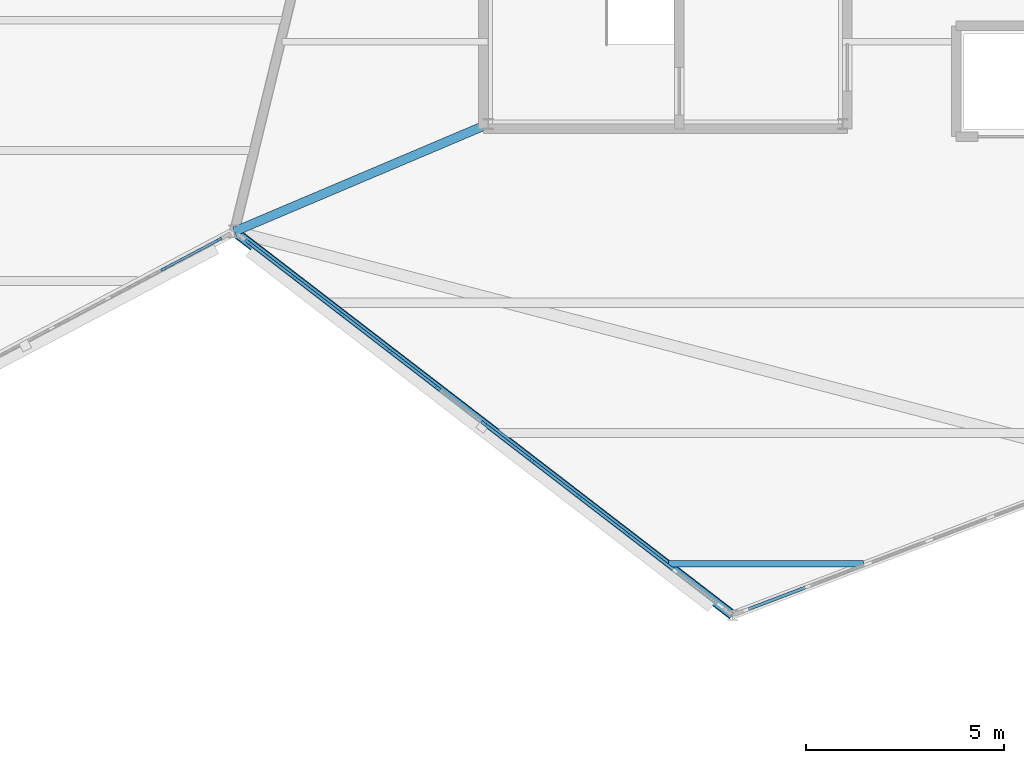
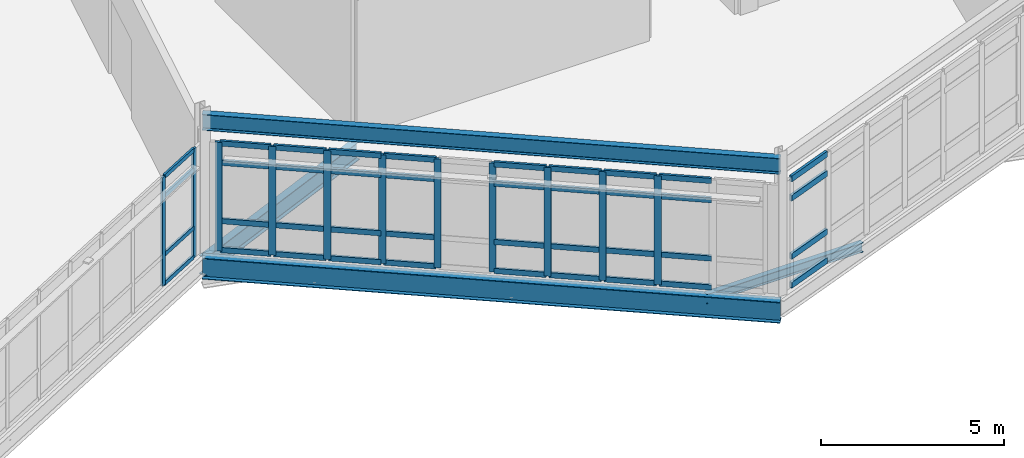
# One storey, part 20 of 76: 51 members, 4 beams, 3 elements without a shape of their own.
"""IFC4 building model written with IfcOpenShell, lengths in metres."""

from ifc_helpers import new_model, si_unit, direction, frame, origin, origin_2d, place, context, subcontext, project, spatial, rectangle, i_section, extrude, material, material_profile, profile_set, type_object, element, aggregate, save


model = new_model("IFC4")

# Units and contexts
model_context = context("Model", 3, precision=1e-05, world=origin(), true_north=direction((0.0, 1.0)))
body_context = subcontext(model_context, "Body", "Model", "MODEL_VIEW")
ifc_project = project(units=[si_unit("LENGTHUNIT", "METRE"), si_unit("AREAUNIT", "SQUARE_METRE"), si_unit("VOLUMEUNIT", "CUBIC_METRE"), si_unit("PLANEANGLEUNIT", "RADIAN"), si_unit("MASSUNIT", "GRAM", prefix="KILO")], contexts=[model_context])

# Site, building, storey
site_placement = place(None, origin())
site = spatial("IfcSite", under=ifc_project, at=site_placement, CompositionType="ELEMENT")
building_placement = place(site_placement, origin())
building = spatial("IfcBuilding", under=site, at=building_placement, Name="Tameran Prism Museum", CompositionType="ELEMENT")
storey_placement = place(building_placement, frame((0.0, 0.0, 15.0)))
storey = spatial("IfcBuildingStorey", under=building, at=storey_placement, Name="L03", CompositionType="ELEMENT", Elevation=15.0)

# Beams
ifc_material_1 = material(Name="Steel Grade 300PLUS (300 MPa)", Category="steel")
ifc_material_profile_1 = material_profile(ifc_material_1, i_section(OverallWidth=0.166015625, OverallDepth=0.306884765625, WebThickness=0.006591796875, FlangeThickness=0.01171875, FilletRadius=0.011474609375, at=origin_2d()))
ifc_profile_set_1 = profile_set([ifc_material_profile_1])
beam_type_1 = type_object("IfcBeamType", Name="BM-J310A", PredefinedType="JOIST", material=ifc_profile_set_1)
beam_1_placement = place(storey_placement, frame((109.076904296875, 19.800048828125, -0.37353515625), z_axis=(1.0, 0.0, 0.0), x_axis=(0.0, 1.0, 0.0)))
element("IfcBeam", 1, at=beam_1_placement, inside=storey, type_object=beam_type_1, Name="Floor Beam BM-1104", PredefinedType="JOIST", context=body_context, shape_type="SweptSolid", body=[
    extrude(i_section(OverallWidth=0.166015625, OverallDepth=0.306884765625, WebThickness=0.006591796875, FlangeThickness=0.01171875, FilletRadius=0.011474609375, at=origin_2d()), origin(), (0.0, 0.0, 1.0), 4.93115234375),
])
ifc_material_2 = material(Name="Steel Grade 300PLUS (300 MPa)", Category="steel")
ifc_material_profile_2 = material_profile(ifc_material_2, i_section(OverallWidth=0.208984375, OverallDepth=0.528076171875, WebThickness=0.009521484375, FlangeThickness=0.01318359375, FilletRadius=0.013916015625, at=origin_2d()))
ifc_profile_set_2 = profile_set([ifc_material_profile_2])
beam_type_2 = type_object("IfcBeamType", Name="BM-SP530B", PredefinedType="SPANDREL", material=ifc_profile_set_2)
beam_2_placement = place(storey_placement, frame((98.10009765625, 28.199951171875, 4.285888671875), z_axis=(0.792388202323, -0.610017161086, 0.0), x_axis=(0.610017161086, 0.792388202323, 0.0)))
element("IfcBeam", 2, at=beam_2_placement, inside=storey, type_object=beam_type_2, Name="Roof Ring Beam RB-0978", PredefinedType="SPANDREL", context=body_context, shape_type="SweptSolid", body=[
    extrude(i_section(OverallWidth=0.208984375, OverallDepth=0.528076171875, WebThickness=0.009521484375, FlangeThickness=0.01318359375, FilletRadius=0.013916015625, at=origin_2d()), origin(), (0.0, 0.0, 1.0), 15.901123046875),
])
ifc_material_3 = material(Name="Steel Grade 350 (350 MPa)", Category="steel")
ifc_material_profile_3 = material_profile(ifc_material_3, i_section(OverallWidth=0.25, OverallDepth=0.699951171875, WebThickness=0.010009765625, FlangeThickness=0.02001953125, at=origin_2d()))
ifc_profile_set_3 = profile_set([ifc_material_profile_3])
beam_type_3 = type_object("IfcBeamType", Name="BM-SP700", PredefinedType="SPANDREL", material=ifc_profile_set_3)
beam_3_placement = place(storey_placement, frame((98.10009765625, 28.199951171875, -0.570068359375), z_axis=(0.792388202323, -0.610017161086, 0.0), x_axis=(0.610017161086, 0.792388202323, 0.0)))
element("IfcBeam", 3, at=beam_3_placement, inside=storey, type_object=beam_type_3, Name="Perimeter Spandrel SP-0974", PredefinedType="SPANDREL", context=body_context, shape_type="SweptSolid", body=[
    extrude(i_section(OverallWidth=0.25, OverallDepth=0.699951171875, WebThickness=0.010009765625, FlangeThickness=0.02001953125, at=origin_2d()), origin(), (0.0, 0.0, 1.0), 15.901123046875),
])
ifc_material_4 = material(Name="Steel Grade 300PLUS (300 MPa)", Category="steel")
ifc_material_profile_4 = material_profile(ifc_material_4, i_section(OverallWidth=0.22900390625, OverallDepth=0.612060546875, WebThickness=0.011962890625, FlangeThickness=0.01953125, FilletRadius=0.013916015625, at=origin_2d()))
ifc_profile_set_4 = profile_set([ifc_material_profile_4])
beam_type_4 = type_object("IfcBeamType", Name="BM-UB610A", PredefinedType="BEAM", material=ifc_profile_set_4)
beam_4_placement = place(storey_placement, frame((104.52001953125, 30.919921875, -0.56005859375), z_axis=(-0.920768988768, -0.390108278973, 0.0), x_axis=(0.390108278973, -0.920768988768, 0.0)))
element("IfcBeam", 4, at=beam_4_placement, inside=storey, type_object=beam_type_4, Name="Frame Tie Girder FG-1420", PredefinedType="BEAM", context=body_context, shape_type="SweptSolid", body=[
    extrude(i_section(OverallWidth=0.22900390625, OverallDepth=0.612060546875, WebThickness=0.011962890625, FlangeThickness=0.01953125, FilletRadius=0.013916015625, at=origin_2d()), origin(), (0.0, 0.0, 1.0), 6.972412109375),
])

# Curtain wall, members
ifc_material_5 = material(Name="Anodised Aluminium 6063-T6 and Cyclone Solar Glass", Category="aluminium")
curtain_wall_type_1 = type_object("IfcCurtainWallType", Name="CW-FAC-1123x362", PredefinedType="USERDEFINED", material=ifc_material_5)
curtain_wall_1_placement = place(storey_placement, origin())
curtain_wall_1 = element("IfcCurtainWall", 5, at=curtain_wall_1_placement, inside=storey, type_object=curtain_wall_type_1, Name="Unitised Curtain Wall CW-139", ObjectType="UNITISED CURTAIN WALL", PredefinedType="USERDEFINED")
ifc_material_6 = material(Name="Anodised Aluminium Alloy 6063-T6", Category="aluminium")
ifc_material_profile_5 = material_profile(ifc_material_6, rectangle(XDim=0.06494140625, YDim=0.159912109375, at=origin_2d()))
ifc_profile_set_5 = profile_set([ifc_material_profile_5])
member_type_1 = type_object("IfcMemberType", Name="CW-MUL-A", PredefinedType="MULLION", material=ifc_profile_set_5)
member_1_placement = place(storey_placement, frame((97.709228515625, 27.993896484375, 0.0), z_axis=(0.0, 0.0, 1.0), x_axis=(0.467155185438, -0.884175340483, 0.0)))
member_1 = element("IfcMember", 6, at=member_1_placement, type_object=member_type_1, Name="CW-139 mullion 1", PredefinedType="MULLION", context=body_context, shape_type="SweptSolid", body=[
    extrude(rectangle(XDim=0.06494140625, YDim=0.159912109375, at=origin_2d()), origin(), (0.0, 0.0, 1.0), 3.6201171875),
])
member_2_placement = place(storey_placement, frame((96.319580078125, 27.259521484375, 0.0), z_axis=(0.0, 0.0, 1.0), x_axis=(0.467155185438, -0.884175340483, 0.0)))
member_2 = element("IfcMember", 7, at=member_2_placement, type_object=member_type_1, Name="CW-139 mullion 2", PredefinedType="MULLION", context=body_context, shape_type="SweptSolid", body=[
    extrude(rectangle(XDim=0.06494140625, YDim=0.159912109375, at=origin_2d()), origin(), (0.0, 0.0, 1.0), 3.6201171875),
])

ifc_material_7 = material(Name="Anodised Aluminium 6063-T6 and Cyclone Solar Glass", Category="aluminium")
curtain_wall_type_2 = type_object("IfcCurtainWallType", Name="CW-FAC-1514x362", PredefinedType="USERDEFINED", material=ifc_material_7)
curtain_wall_2_placement = place(storey_placement, origin())
curtain_wall_2 = element("IfcCurtainWall", 8, at=curtain_wall_2_placement, inside=storey, type_object=curtain_wall_type_2, Name="Unitised Curtain Wall CW-145", ObjectType="UNITISED CURTAIN WALL", PredefinedType="USERDEFINED")
ifc_material_8 = material(Name="Anodised Aluminium Alloy 6063-T6", Category="aluminium")
ifc_material_profile_6 = material_profile(ifc_material_8, rectangle(XDim=0.074951171875, YDim=0.199951171875, at=origin_2d()))
ifc_profile_set_6 = profile_set([ifc_material_profile_6])
member_type_2 = type_object("IfcMemberType", Name="CW-MUL-C", PredefinedType="MULLION", material=ifc_profile_set_6)
member_3_placement = place(storey_placement, frame((108.023193359375, 20.560302734375, 0.0), z_axis=(0.0, 0.0, 1.0), x_axis=(-0.610001143702, -0.79240053299, 0.0)))
member_3 = element("IfcMember", 9, at=member_3_placement, type_object=member_type_2, Name="CW-145 mullion 3", PredefinedType="MULLION", context=body_context, shape_type="SweptSolid", body=[
    extrude(rectangle(XDim=0.074951171875, YDim=0.199951171875, at=origin_2d()), origin(), (0.0, 0.0, 1.0), 3.6201171875),
])
member_4_placement = place(storey_placement, frame((106.8232421875, 21.484130859375, 0.0), z_axis=(0.0, 0.0, 1.0), x_axis=(-0.610001143702, -0.79240053299, 0.0)))
member_4 = element("IfcMember", 10, at=member_4_placement, type_object=member_type_2, Name="CW-145 mullion 4", PredefinedType="MULLION", context=body_context, shape_type="SweptSolid", body=[
    extrude(rectangle(XDim=0.074951171875, YDim=0.199951171875, at=origin_2d()), origin(), (0.0, 0.0, 1.0), 3.6201171875),
])
member_5_placement = place(storey_placement, frame((105.623291015625, 22.40771484375, 0.0), z_axis=(0.0, 0.0, 1.0), x_axis=(-0.610001143702, -0.79240053299, 0.0)))
member_5 = element("IfcMember", 11, at=member_5_placement, type_object=member_type_2, Name="CW-145 mullion 5", PredefinedType="MULLION", context=body_context, shape_type="SweptSolid", body=[
    extrude(rectangle(XDim=0.074951171875, YDim=0.199951171875, at=origin_2d()), origin(), (0.0, 0.0, 1.0), 3.6201171875),
])
member_6_placement = place(storey_placement, frame((104.423583984375, 23.33154296875, 0.0), z_axis=(0.0, 0.0, 1.0), x_axis=(-0.610001143702, -0.79240053299, 0.0)))
member_6 = element("IfcMember", 12, at=member_6_placement, type_object=member_type_2, Name="CW-145 mullion 6", PredefinedType="MULLION", context=body_context, shape_type="SweptSolid", body=[
    extrude(rectangle(XDim=0.074951171875, YDim=0.199951171875, at=origin_2d()), origin(), (0.0, 0.0, 1.0), 3.6201171875),
])
member_7_placement = place(storey_placement, frame((103.2236328125, 24.255126953125, 0.0), z_axis=(0.0, 0.0, 1.0), x_axis=(-0.610001143702, -0.79240053299, 0.0)))
member_7 = element("IfcMember", 13, at=member_7_placement, type_object=member_type_2, Name="CW-145 mullion 7", PredefinedType="MULLION", context=body_context, shape_type="SweptSolid", body=[
    extrude(rectangle(XDim=0.074951171875, YDim=0.199951171875, at=origin_2d()), origin(), (0.0, 0.0, 1.0), 3.6201171875),
])
member_8_placement = place(storey_placement, frame((102.023681640625, 25.178955078125, 0.0), z_axis=(0.0, 0.0, 1.0), x_axis=(-0.610001143702, -0.79240053299, 0.0)))
member_8 = element("IfcMember", 14, at=member_8_placement, type_object=member_type_2, Name="CW-145 mullion 8", PredefinedType="MULLION", context=body_context, shape_type="SweptSolid", body=[
    extrude(rectangle(XDim=0.074951171875, YDim=0.199951171875, at=origin_2d()), origin(), (0.0, 0.0, 1.0), 3.6201171875),
])
member_9_placement = place(storey_placement, frame((100.82373046875, 26.1025390625, 0.0), z_axis=(0.0, 0.0, 1.0), x_axis=(-0.610001143702, -0.79240053299, 0.0)))
member_9 = element("IfcMember", 15, at=member_9_placement, type_object=member_type_2, Name="CW-145 mullion 9", PredefinedType="MULLION", context=body_context, shape_type="SweptSolid", body=[
    extrude(rectangle(XDim=0.074951171875, YDim=0.199951171875, at=origin_2d()), origin(), (0.0, 0.0, 1.0), 3.6201171875),
])
member_10_placement = place(storey_placement, frame((99.623779296875, 27.0263671875, 0.0), z_axis=(0.0, 0.0, 1.0), x_axis=(-0.610001143702, -0.79240053299, 0.0)))
member_10 = element("IfcMember", 16, at=member_10_placement, type_object=member_type_2, Name="CW-145 mullion 10", PredefinedType="MULLION", context=body_context, shape_type="SweptSolid", body=[
    extrude(rectangle(XDim=0.074951171875, YDim=0.199951171875, at=origin_2d()), origin(), (0.0, 0.0, 1.0), 3.6201171875),
])
member_11_placement = place(storey_placement, frame((98.45361328125, 27.92724609375, 0.0), z_axis=(0.0, 0.0, 1.0), x_axis=(-0.610001143702, -0.79240053299, 0.0)))
member_11 = element("IfcMember", 17, at=member_11_placement, type_object=member_type_2, Name="CW-145 mullion 11", PredefinedType="MULLION", context=body_context, shape_type="SweptSolid", body=[
    extrude(rectangle(XDim=0.074951171875, YDim=0.199951171875, at=origin_2d()), origin(), (0.0, 0.0, 1.0), 3.6201171875),
])

# Member
ifc_material_9 = material(Name="Anodised Aluminium Alloy 6063-T6", Category="aluminium")
ifc_material_profile_7 = material_profile(ifc_material_9, rectangle(XDim=0.06494140625, YDim=0.139892578125, at=origin_2d()))
ifc_profile_set_7 = profile_set([ifc_material_profile_7])
member_type_3 = type_object("IfcMemberType", Name="CW-TRN-A", PredefinedType="USERDEFINED", material=ifc_profile_set_7)
member_12_placement = place(storey_placement, frame((97.680419921875, 27.978515625, 0.032470703125), z_axis=(-0.884154232374, -0.467195134152, 0.0), x_axis=(0.467195134152, -0.884154232374, 0.0)))
member_12 = element("IfcMember", 18, at=member_12_placement, type_object=member_type_3, Name="CW-139 transom 1.1", ObjectType="TRANSOM", PredefinedType="USERDEFINED", context=body_context, shape_type="SweptSolid", body=[
    extrude(rectangle(XDim=0.06494140625, YDim=0.139892578125, at=origin_2d()), origin(), (0.0, 0.0, 1.0), 1.506591796875),
])

member_13_placement = place(storey_placement, frame((97.680419921875, 27.978515625, 1.0), z_axis=(-0.884154232374, -0.467195134152, 0.0), x_axis=(0.467195134152, -0.884154232374, 0.0)))
member_13 = element("IfcMember", 19, at=member_13_placement, type_object=member_type_3, Name="CW-139 transom 1.2", ObjectType="TRANSOM", PredefinedType="USERDEFINED", context=body_context, shape_type="SweptSolid", body=[
    extrude(rectangle(XDim=0.06494140625, YDim=0.139892578125, at=origin_2d()), origin(), (0.0, 0.0, 1.0), 1.506591796875),
])

member_14_placement = place(storey_placement, frame((97.680419921875, 27.978515625, 2.93994140625), z_axis=(-0.884154232374, -0.467195134152, 0.0), x_axis=(0.467195134152, -0.884154232374, 0.0)))
member_14 = element("IfcMember", 20, at=member_14_placement, type_object=member_type_3, Name="CW-139 transom 1.3", ObjectType="TRANSOM", PredefinedType="USERDEFINED", context=body_context, shape_type="SweptSolid", body=[
    extrude(rectangle(XDim=0.06494140625, YDim=0.139892578125, at=origin_2d()), origin(), (0.0, 0.0, 1.0), 1.506591796875),
])

member_15_placement = place(storey_placement, frame((97.680419921875, 27.978515625, 3.58740234375), z_axis=(-0.884154232374, -0.467195134152, 0.0), x_axis=(0.467195134152, -0.884154232374, 0.0)))
member_15 = element("IfcMember", 21, at=member_15_placement, type_object=member_type_3, Name="CW-139 transom 1.4", ObjectType="TRANSOM", PredefinedType="USERDEFINED", context=body_context, shape_type="SweptSolid", body=[
    extrude(rectangle(XDim=0.06494140625, YDim=0.139892578125, at=origin_2d()), origin(), (0.0, 0.0, 1.0), 1.506591796875),
])

aggregate(curtain_wall_1, [member_1, member_2, member_12, member_13, member_14, member_15])

ifc_material_10 = material(Name="Anodised Aluminium Alloy 6063-T6", Category="aluminium")
ifc_material_profile_8 = material_profile(ifc_material_10, rectangle(XDim=0.074951171875, YDim=0.175048828125, at=origin_2d()))
ifc_profile_set_8 = profile_set([ifc_material_profile_8])
member_type_4 = type_object("IfcMemberType", Name="CW-TRN-C", PredefinedType="USERDEFINED", material=ifc_profile_set_8)
member_16_placement = place(storey_placement, frame((109.193359375, 19.65966796875, 0.03759765625), z_axis=(-0.79238428899, 0.610022244318, 0.0), x_axis=(-0.610022244318, -0.79238428899, 0.0)))
member_16 = element("IfcMember", 22, at=member_16_placement, type_object=member_type_4, Name="CW-145 transom 2.1", ObjectType="TRANSOM", PredefinedType="USERDEFINED", context=body_context, shape_type="SweptSolid", body=[
    extrude(rectangle(XDim=0.074951171875, YDim=0.175048828125, at=origin_2d()), origin(), (0.0, 0.0, 1.0), 1.439208984375),
])

member_17_placement = place(storey_placement, frame((109.193359375, 19.65966796875, 1.0), z_axis=(-0.79238428899, 0.610022244318, 0.0), x_axis=(-0.610022244318, -0.79238428899, 0.0)))
member_17 = element("IfcMember", 23, at=member_17_placement, type_object=member_type_4, Name="CW-145 transom 2.2", ObjectType="TRANSOM", PredefinedType="USERDEFINED", context=body_context, shape_type="SweptSolid", body=[
    extrude(rectangle(XDim=0.074951171875, YDim=0.175048828125, at=origin_2d()), origin(), (0.0, 0.0, 1.0), 1.439208984375),
])

member_18_placement = place(storey_placement, frame((109.193359375, 19.65966796875, 2.93994140625), z_axis=(-0.79238428899, 0.610022244318, 0.0), x_axis=(-0.610022244318, -0.79238428899, 0.0)))
member_18 = element("IfcMember", 24, at=member_18_placement, type_object=member_type_4, Name="CW-145 transom 2.3", ObjectType="TRANSOM", PredefinedType="USERDEFINED", context=body_context, shape_type="SweptSolid", body=[
    extrude(rectangle(XDim=0.074951171875, YDim=0.175048828125, at=origin_2d()), origin(), (0.0, 0.0, 1.0), 1.439208984375),
])

member_19_placement = place(storey_placement, frame((109.193359375, 19.65966796875, 3.58251953125), z_axis=(-0.79238428899, 0.610022244318, 0.0), x_axis=(-0.610022244318, -0.79238428899, 0.0)))
member_19 = element("IfcMember", 25, at=member_19_placement, type_object=member_type_4, Name="CW-145 transom 2.4", ObjectType="TRANSOM", PredefinedType="USERDEFINED", context=body_context, shape_type="SweptSolid", body=[
    extrude(rectangle(XDim=0.074951171875, YDim=0.175048828125, at=origin_2d()), origin(), (0.0, 0.0, 1.0), 1.439208984375),
])

member_20_placement = place(storey_placement, frame((107.993408203125, 20.583251953125, 0.03759765625), z_axis=(-0.79238428899, 0.610022244318, 0.0), x_axis=(-0.610022244318, -0.79238428899, 0.0)))
member_20 = element("IfcMember", 26, at=member_20_placement, type_object=member_type_4, Name="CW-145 transom 3.1", ObjectType="TRANSOM", PredefinedType="USERDEFINED", context=body_context, shape_type="SweptSolid", body=[
    extrude(rectangle(XDim=0.074951171875, YDim=0.175048828125, at=origin_2d()), origin(), (0.0, 0.0, 1.0), 1.439208984375),
])

member_21_placement = place(storey_placement, frame((107.993408203125, 20.583251953125, 1.0), z_axis=(-0.79238428899, 0.610022244318, 0.0), x_axis=(-0.610022244318, -0.79238428899, 0.0)))
member_21 = element("IfcMember", 27, at=member_21_placement, type_object=member_type_4, Name="CW-145 transom 3.2", ObjectType="TRANSOM", PredefinedType="USERDEFINED", context=body_context, shape_type="SweptSolid", body=[
    extrude(rectangle(XDim=0.074951171875, YDim=0.175048828125, at=origin_2d()), origin(), (0.0, 0.0, 1.0), 1.439208984375),
])

member_22_placement = place(storey_placement, frame((107.993408203125, 20.583251953125, 2.93994140625), z_axis=(-0.79238428899, 0.610022244318, 0.0), x_axis=(-0.610022244318, -0.79238428899, 0.0)))
member_22 = element("IfcMember", 28, at=member_22_placement, type_object=member_type_4, Name="CW-145 transom 3.3", ObjectType="TRANSOM", PredefinedType="USERDEFINED", context=body_context, shape_type="SweptSolid", body=[
    extrude(rectangle(XDim=0.074951171875, YDim=0.175048828125, at=origin_2d()), origin(), (0.0, 0.0, 1.0), 1.439208984375),
])

member_23_placement = place(storey_placement, frame((107.993408203125, 20.583251953125, 3.58251953125), z_axis=(-0.79238428899, 0.610022244318, 0.0), x_axis=(-0.610022244318, -0.79238428899, 0.0)))
member_23 = element("IfcMember", 29, at=member_23_placement, type_object=member_type_4, Name="CW-145 transom 3.4", ObjectType="TRANSOM", PredefinedType="USERDEFINED", context=body_context, shape_type="SweptSolid", body=[
    extrude(rectangle(XDim=0.074951171875, YDim=0.175048828125, at=origin_2d()), origin(), (0.0, 0.0, 1.0), 1.439208984375),
])

member_24_placement = place(storey_placement, frame((106.793701171875, 21.507080078125, 0.03759765625), z_axis=(-0.79244740358, 0.60994025327, 0.0), x_axis=(-0.60994025327, -0.79244740358, 0.0)))
member_24 = element("IfcMember", 30, at=member_24_placement, type_object=member_type_4, Name="CW-145 transom 4.1", ObjectType="TRANSOM", PredefinedType="USERDEFINED", context=body_context, shape_type="SweptSolid", body=[
    extrude(rectangle(XDim=0.074951171875, YDim=0.175048828125, at=origin_2d()), origin(), (0.0, 0.0, 1.0), 1.439453125),
])

member_25_placement = place(storey_placement, frame((106.793701171875, 21.507080078125, 1.0), z_axis=(-0.79244740358, 0.60994025327, 0.0), x_axis=(-0.60994025327, -0.79244740358, 0.0)))
member_25 = element("IfcMember", 31, at=member_25_placement, type_object=member_type_4, Name="CW-145 transom 4.2", ObjectType="TRANSOM", PredefinedType="USERDEFINED", context=body_context, shape_type="SweptSolid", body=[
    extrude(rectangle(XDim=0.074951171875, YDim=0.175048828125, at=origin_2d()), origin(), (0.0, 0.0, 1.0), 1.439453125),
])

member_26_placement = place(storey_placement, frame((106.793701171875, 21.507080078125, 2.93994140625), z_axis=(-0.79244740358, 0.60994025327, 0.0), x_axis=(-0.60994025327, -0.79244740358, 0.0)))
member_26 = element("IfcMember", 32, at=member_26_placement, type_object=member_type_4, Name="CW-145 transom 4.3", ObjectType="TRANSOM", PredefinedType="USERDEFINED", context=body_context, shape_type="SweptSolid", body=[
    extrude(rectangle(XDim=0.074951171875, YDim=0.175048828125, at=origin_2d()), origin(), (0.0, 0.0, 1.0), 1.439453125),
])

member_27_placement = place(storey_placement, frame((106.793701171875, 21.507080078125, 3.58251953125), z_axis=(-0.79244740358, 0.60994025327, 0.0), x_axis=(-0.60994025327, -0.79244740358, 0.0)))
member_27 = element("IfcMember", 33, at=member_27_placement, type_object=member_type_4, Name="CW-145 transom 4.4", ObjectType="TRANSOM", PredefinedType="USERDEFINED", context=body_context, shape_type="SweptSolid", body=[
    extrude(rectangle(XDim=0.074951171875, YDim=0.175048828125, at=origin_2d()), origin(), (0.0, 0.0, 1.0), 1.439453125),
])

member_28_placement = place(storey_placement, frame((105.59375, 22.4306640625, 0.03759765625), z_axis=(-0.79244740358, 0.60994025327, 0.0), x_axis=(-0.60994025327, -0.79244740358, 0.0)))
member_28 = element("IfcMember", 34, at=member_28_placement, type_object=member_type_4, Name="CW-145 transom 5.1", ObjectType="TRANSOM", PredefinedType="USERDEFINED", context=body_context, shape_type="SweptSolid", body=[
    extrude(rectangle(XDim=0.074951171875, YDim=0.175048828125, at=origin_2d()), origin(), (0.0, 0.0, 1.0), 1.439453125),
])

member_29_placement = place(storey_placement, frame((105.59375, 22.4306640625, 1.0), z_axis=(-0.79244740358, 0.60994025327, 0.0), x_axis=(-0.60994025327, -0.79244740358, 0.0)))
member_29 = element("IfcMember", 35, at=member_29_placement, type_object=member_type_4, Name="CW-145 transom 5.2", ObjectType="TRANSOM", PredefinedType="USERDEFINED", context=body_context, shape_type="SweptSolid", body=[
    extrude(rectangle(XDim=0.074951171875, YDim=0.175048828125, at=origin_2d()), origin(), (0.0, 0.0, 1.0), 1.439453125),
])

member_30_placement = place(storey_placement, frame((105.59375, 22.4306640625, 2.93994140625), z_axis=(-0.79244740358, 0.60994025327, 0.0), x_axis=(-0.60994025327, -0.79244740358, 0.0)))
member_30 = element("IfcMember", 36, at=member_30_placement, type_object=member_type_4, Name="CW-145 transom 5.3", ObjectType="TRANSOM", PredefinedType="USERDEFINED", context=body_context, shape_type="SweptSolid", body=[
    extrude(rectangle(XDim=0.074951171875, YDim=0.175048828125, at=origin_2d()), origin(), (0.0, 0.0, 1.0), 1.439453125),
])

member_31_placement = place(storey_placement, frame((105.59375, 22.4306640625, 3.58251953125), z_axis=(-0.79244740358, 0.60994025327, 0.0), x_axis=(-0.60994025327, -0.79244740358, 0.0)))
member_31 = element("IfcMember", 37, at=member_31_placement, type_object=member_type_4, Name="CW-145 transom 5.4", ObjectType="TRANSOM", PredefinedType="USERDEFINED", context=body_context, shape_type="SweptSolid", body=[
    extrude(rectangle(XDim=0.074951171875, YDim=0.175048828125, at=origin_2d()), origin(), (0.0, 0.0, 1.0), 1.439453125),
])

member_32_placement = place(storey_placement, frame((103.19384765625, 24.278076171875, 0.03759765625), z_axis=(-0.79238428899, 0.610022244318, 0.0), x_axis=(-0.610022244318, -0.79238428899, 0.0)))
member_32 = element("IfcMember", 38, at=member_32_placement, type_object=member_type_4, Name="CW-145 transom 7.1", ObjectType="TRANSOM", PredefinedType="USERDEFINED", context=body_context, shape_type="SweptSolid", body=[
    extrude(rectangle(XDim=0.074951171875, YDim=0.175048828125, at=origin_2d()), origin(), (0.0, 0.0, 1.0), 1.439208984375),
])

member_33_placement = place(storey_placement, frame((103.19384765625, 24.278076171875, 1.0), z_axis=(-0.79238428899, 0.610022244318, 0.0), x_axis=(-0.610022244318, -0.79238428899, 0.0)))
member_33 = element("IfcMember", 39, at=member_33_placement, type_object=member_type_4, Name="CW-145 transom 7.2", ObjectType="TRANSOM", PredefinedType="USERDEFINED", context=body_context, shape_type="SweptSolid", body=[
    extrude(rectangle(XDim=0.074951171875, YDim=0.175048828125, at=origin_2d()), origin(), (0.0, 0.0, 1.0), 1.439208984375),
])

member_34_placement = place(storey_placement, frame((103.19384765625, 24.278076171875, 2.93994140625), z_axis=(-0.79238428899, 0.610022244318, 0.0), x_axis=(-0.610022244318, -0.79238428899, 0.0)))
member_34 = element("IfcMember", 40, at=member_34_placement, type_object=member_type_4, Name="CW-145 transom 7.3", ObjectType="TRANSOM", PredefinedType="USERDEFINED", context=body_context, shape_type="SweptSolid", body=[
    extrude(rectangle(XDim=0.074951171875, YDim=0.175048828125, at=origin_2d()), origin(), (0.0, 0.0, 1.0), 1.439208984375),
])

member_35_placement = place(storey_placement, frame((103.19384765625, 24.278076171875, 3.58251953125), z_axis=(-0.79238428899, 0.610022244318, 0.0), x_axis=(-0.610022244318, -0.79238428899, 0.0)))
member_35 = element("IfcMember", 41, at=member_35_placement, type_object=member_type_4, Name="CW-145 transom 7.4", ObjectType="TRANSOM", PredefinedType="USERDEFINED", context=body_context, shape_type="SweptSolid", body=[
    extrude(rectangle(XDim=0.074951171875, YDim=0.175048828125, at=origin_2d()), origin(), (0.0, 0.0, 1.0), 1.439208984375),
])

member_36_placement = place(storey_placement, frame((101.993896484375, 25.20166015625, 0.03759765625), z_axis=(-0.792302291514, 0.61012873958, 0.0), x_axis=(-0.61012873958, -0.792302291514, 0.0)))
member_36 = element("IfcMember", 42, at=member_36_placement, type_object=member_type_4, Name="CW-145 transom 8.1", ObjectType="TRANSOM", PredefinedType="USERDEFINED", context=body_context, shape_type="SweptSolid", body=[
    extrude(rectangle(XDim=0.074951171875, YDim=0.175048828125, at=origin_2d()), origin(), (0.0, 0.0, 1.0), 1.439208984375),
])

member_37_placement = place(storey_placement, frame((101.993896484375, 25.20166015625, 1.0), z_axis=(-0.792302291514, 0.61012873958, 0.0), x_axis=(-0.61012873958, -0.792302291514, 0.0)))
member_37 = element("IfcMember", 43, at=member_37_placement, type_object=member_type_4, Name="CW-145 transom 8.2", ObjectType="TRANSOM", PredefinedType="USERDEFINED", context=body_context, shape_type="SweptSolid", body=[
    extrude(rectangle(XDim=0.074951171875, YDim=0.175048828125, at=origin_2d()), origin(), (0.0, 0.0, 1.0), 1.439208984375),
])

member_38_placement = place(storey_placement, frame((101.993896484375, 25.20166015625, 2.93994140625), z_axis=(-0.792302291514, 0.61012873958, 0.0), x_axis=(-0.61012873958, -0.792302291514, 0.0)))
member_38 = element("IfcMember", 44, at=member_38_placement, type_object=member_type_4, Name="CW-145 transom 8.3", ObjectType="TRANSOM", PredefinedType="USERDEFINED", context=body_context, shape_type="SweptSolid", body=[
    extrude(rectangle(XDim=0.074951171875, YDim=0.175048828125, at=origin_2d()), origin(), (0.0, 0.0, 1.0), 1.439208984375),
])

member_39_placement = place(storey_placement, frame((101.993896484375, 25.20166015625, 3.58251953125), z_axis=(-0.792302291514, 0.61012873958, 0.0), x_axis=(-0.61012873958, -0.792302291514, 0.0)))
member_39 = element("IfcMember", 45, at=member_39_placement, type_object=member_type_4, Name="CW-145 transom 8.4", ObjectType="TRANSOM", PredefinedType="USERDEFINED", context=body_context, shape_type="SweptSolid", body=[
    extrude(rectangle(XDim=0.074951171875, YDim=0.175048828125, at=origin_2d()), origin(), (0.0, 0.0, 1.0), 1.439208984375),
])

member_40_placement = place(storey_placement, frame((100.794189453125, 26.12548828125, 0.03759765625), z_axis=(-0.79244740358, 0.60994025327, 0.0), x_axis=(-0.60994025327, -0.79244740358, 0.0)))
member_40 = element("IfcMember", 46, at=member_40_placement, type_object=member_type_4, Name="CW-145 transom 9.1", ObjectType="TRANSOM", PredefinedType="USERDEFINED", context=body_context, shape_type="SweptSolid", body=[
    extrude(rectangle(XDim=0.074951171875, YDim=0.175048828125, at=origin_2d()), origin(), (0.0, 0.0, 1.0), 1.439453125),
])

member_41_placement = place(storey_placement, frame((100.794189453125, 26.12548828125, 1.0), z_axis=(-0.79244740358, 0.60994025327, 0.0), x_axis=(-0.60994025327, -0.79244740358, 0.0)))
member_41 = element("IfcMember", 47, at=member_41_placement, type_object=member_type_4, Name="CW-145 transom 9.2", ObjectType="TRANSOM", PredefinedType="USERDEFINED", context=body_context, shape_type="SweptSolid", body=[
    extrude(rectangle(XDim=0.074951171875, YDim=0.175048828125, at=origin_2d()), origin(), (0.0, 0.0, 1.0), 1.439453125),
])

member_42_placement = place(storey_placement, frame((100.794189453125, 26.12548828125, 2.93994140625), z_axis=(-0.79244740358, 0.60994025327, 0.0), x_axis=(-0.60994025327, -0.79244740358, 0.0)))
member_42 = element("IfcMember", 48, at=member_42_placement, type_object=member_type_4, Name="CW-145 transom 9.3", ObjectType="TRANSOM", PredefinedType="USERDEFINED", context=body_context, shape_type="SweptSolid", body=[
    extrude(rectangle(XDim=0.074951171875, YDim=0.175048828125, at=origin_2d()), origin(), (0.0, 0.0, 1.0), 1.439453125),
])

member_43_placement = place(storey_placement, frame((100.794189453125, 26.12548828125, 3.58251953125), z_axis=(-0.79244740358, 0.60994025327, 0.0), x_axis=(-0.60994025327, -0.79244740358, 0.0)))
member_43 = element("IfcMember", 49, at=member_43_placement, type_object=member_type_4, Name="CW-145 transom 9.4", ObjectType="TRANSOM", PredefinedType="USERDEFINED", context=body_context, shape_type="SweptSolid", body=[
    extrude(rectangle(XDim=0.074951171875, YDim=0.175048828125, at=origin_2d()), origin(), (0.0, 0.0, 1.0), 1.439453125),
])

member_44_placement = place(storey_placement, frame((99.59423828125, 27.049072265625, 0.03759765625), z_axis=(-0.792371439539, 0.610038934661, 0.0), x_axis=(-0.610038934661, -0.792371439539, 0.0)))
member_44 = element("IfcMember", 50, at=member_44_placement, type_object=member_type_4, Name="CW-145 transom 10.1", ObjectType="TRANSOM", PredefinedType="USERDEFINED", context=body_context, shape_type="SweptSolid", body=[
    extrude(rectangle(XDim=0.074951171875, YDim=0.175048828125, at=origin_2d()), origin(), (0.0, 0.0, 1.0), 1.40185546875),
])

member_45_placement = place(storey_placement, frame((99.59423828125, 27.049072265625, 1.0), z_axis=(-0.792371439539, 0.610038934661, 0.0), x_axis=(-0.610038934661, -0.792371439539, 0.0)))
member_45 = element("IfcMember", 51, at=member_45_placement, type_object=member_type_4, Name="CW-145 transom 10.2", ObjectType="TRANSOM", PredefinedType="USERDEFINED", context=body_context, shape_type="SweptSolid", body=[
    extrude(rectangle(XDim=0.074951171875, YDim=0.175048828125, at=origin_2d()), origin(), (0.0, 0.0, 1.0), 1.40185546875),
])

member_46_placement = place(storey_placement, frame((99.59423828125, 27.049072265625, 2.93994140625), z_axis=(-0.792371439539, 0.610038934661, 0.0), x_axis=(-0.610038934661, -0.792371439539, 0.0)))
member_46 = element("IfcMember", 52, at=member_46_placement, type_object=member_type_4, Name="CW-145 transom 10.3", ObjectType="TRANSOM", PredefinedType="USERDEFINED", context=body_context, shape_type="SweptSolid", body=[
    extrude(rectangle(XDim=0.074951171875, YDim=0.175048828125, at=origin_2d()), origin(), (0.0, 0.0, 1.0), 1.40185546875),
])

member_47_placement = place(storey_placement, frame((99.59423828125, 27.049072265625, 3.58251953125), z_axis=(-0.792371439539, 0.610038934661, 0.0), x_axis=(-0.610038934661, -0.792371439539, 0.0)))
member_47 = element("IfcMember", 53, at=member_47_placement, type_object=member_type_4, Name="CW-145 transom 10.4", ObjectType="TRANSOM", PredefinedType="USERDEFINED", context=body_context, shape_type="SweptSolid", body=[
    extrude(rectangle(XDim=0.074951171875, YDim=0.175048828125, at=origin_2d()), origin(), (0.0, 0.0, 1.0), 1.40185546875),
])

aggregate(curtain_wall_2, [member_3, member_4, member_5, member_6, member_7, member_8, member_9, member_10, member_11, member_16, member_17, member_18, member_19, member_20, member_21, member_22, member_23, member_24, member_25, member_26, member_27, member_28, member_29, member_30, member_31, member_32, member_33, member_34, member_35, member_36, member_37, member_38, member_39, member_40, member_41, member_42, member_43, member_44, member_45, member_46, member_47])

# Curtain wall, members
ifc_material_11 = material(Name="Anodised Aluminium 6063-T6 and Cyclone Solar Glass", Category="aluminium")
curtain_wall_type_3 = type_object("IfcCurtainWallType", Name="CW-FAC-994x362", PredefinedType="USERDEFINED", material=ifc_material_11)
curtain_wall_3_placement = place(storey_placement, origin())
curtain_wall_3 = element("IfcCurtainWall", 54, at=curtain_wall_3_placement, inside=storey, type_object=curtain_wall_type_3, Name="Unitised Curtain Wall CW-146", ObjectType="UNITISED CURTAIN WALL", PredefinedType="USERDEFINED")
ifc_material_12 = material(Name="Anodised Aluminium Alloy 6063-T6", Category="aluminium")
ifc_material_profile_9 = material_profile(ifc_material_12, rectangle(XDim=0.080078125, YDim=0.195068359375, at=origin_2d()))
ifc_profile_set_9 = profile_set([ifc_material_profile_9])
member_type_5 = type_object("IfcMemberType", Name="CW-TRN-D", PredefinedType="USERDEFINED", material=ifc_profile_set_9)
member_48_placement = place(storey_placement, frame((112.537841796875, 19.1982421875, 0.0400390625), z_axis=(-0.934739248132, -0.355334403064, 0.0), x_axis=(0.355334403064, -0.934739248132, 0.0)))
member_48 = element("IfcMember", 55, at=member_48_placement, type_object=member_type_5, Name="CW-146 transom 6.1", ObjectType="TRANSOM", PredefinedType="USERDEFINED", context=body_context, shape_type="SweptSolid", body=[
    extrude(rectangle(XDim=0.080078125, YDim=0.195068359375, at=origin_2d()), origin(), (0.0, 0.0, 1.0), 1.536376953125),
])
member_49_placement = place(storey_placement, frame((112.537841796875, 19.1982421875, 1.0), z_axis=(-0.934739248132, -0.355334403064, 0.0), x_axis=(0.355334403064, -0.934739248132, 0.0)))
member_49 = element("IfcMember", 56, at=member_49_placement, type_object=member_type_5, Name="CW-146 transom 6.2", ObjectType="TRANSOM", PredefinedType="USERDEFINED", context=body_context, shape_type="SweptSolid", body=[
    extrude(rectangle(XDim=0.080078125, YDim=0.195068359375, at=origin_2d()), origin(), (0.0, 0.0, 1.0), 1.536376953125),
])
member_50_placement = place(storey_placement, frame((112.537841796875, 19.1982421875, 2.93994140625), z_axis=(-0.934739248132, -0.355334403064, 0.0), x_axis=(0.355334403064, -0.934739248132, 0.0)))
member_50 = element("IfcMember", 57, at=member_50_placement, type_object=member_type_5, Name="CW-146 transom 6.3", ObjectType="TRANSOM", PredefinedType="USERDEFINED", context=body_context, shape_type="SweptSolid", body=[
    extrude(rectangle(XDim=0.080078125, YDim=0.195068359375, at=origin_2d()), origin(), (0.0, 0.0, 1.0), 1.536376953125),
])
member_51_placement = place(storey_placement, frame((112.537841796875, 19.1982421875, 3.580078125), z_axis=(-0.934739248132, -0.355334403064, 0.0), x_axis=(0.355334403064, -0.934739248132, 0.0)))
member_51 = element("IfcMember", 58, at=member_51_placement, type_object=member_type_5, Name="CW-146 transom 6.4", ObjectType="TRANSOM", PredefinedType="USERDEFINED", context=body_context, shape_type="SweptSolid", body=[
    extrude(rectangle(XDim=0.080078125, YDim=0.195068359375, at=origin_2d()), origin(), (0.0, 0.0, 1.0), 1.536376953125),
])
aggregate(curtain_wall_3, [member_48, member_49, member_50, member_51])

save(model, "model.ifc")
